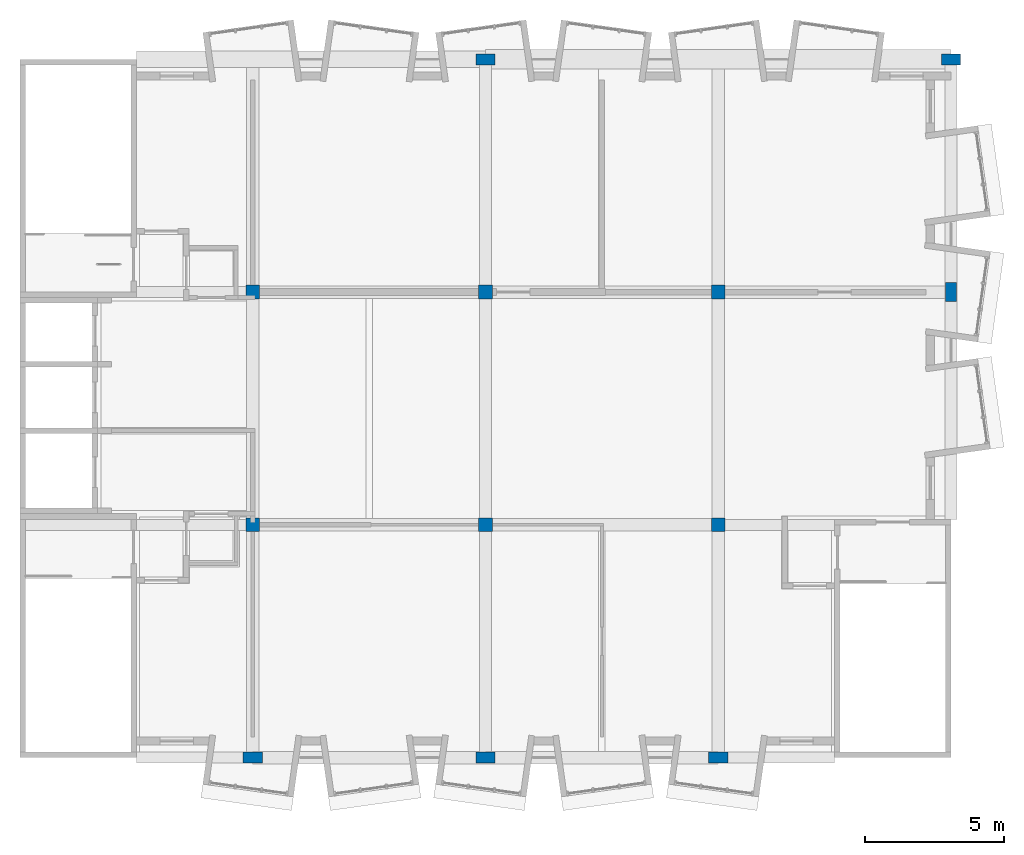
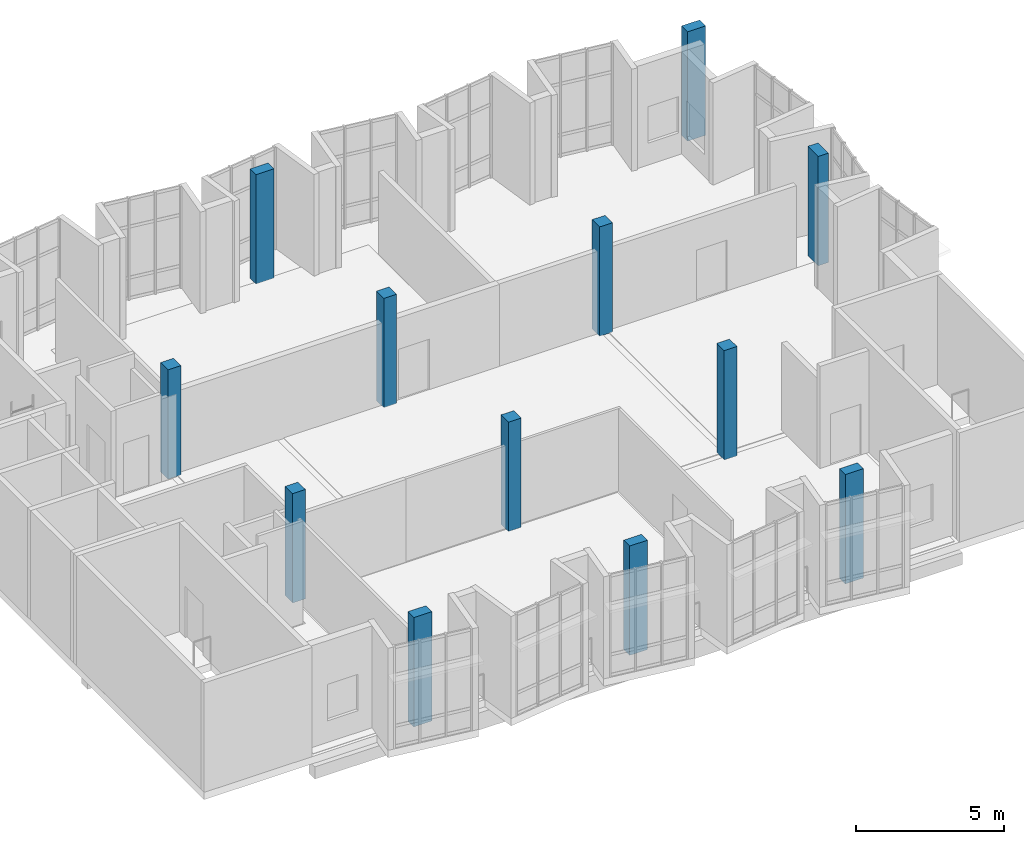
# One storey, part 1 of 15: 12 columns.
"""IFC4 building model written with IfcOpenShell, lengths in metres."""

import ifcopenshell
import ifcopenshell.guid

model = None  # the IFC model being written
_history = None  # IfcOwnerHistory: only IFC2X3 demands one
_inside = {}  # id of a spatial element -> (the spatial element, [elements in it])
_under = {}  # id of a project, library or spatial element -> (it, [spatial elements below it])
_declared = {}  # id of a project -> (the project, [libraries it declares])
_typed = {}  # id of a type object -> (the type object, [elements of that type])
_made_of = {}  # id of a material, layer set ... -> (it, [elements and type objects made of it])


def new_model(schema):
    """Start an empty IFC model of exactly this schema.

    Asked for "IFC4X3", IfcOpenShell would pick the latest addendum, in which some entities
    have other attributes; the version numbers below select the first issue.
    IFC2X3 requires an IfcOwnerHistory on every rooted entity: one is made here for all.
    """
    global model, _history
    if schema == "IFC4X3":
        model = ifcopenshell.file(schema_version=(4, 3, 0, 0))
    else:
        model = ifcopenshell.file(schema=schema)
    _inside.clear()
    _under.clear()
    _declared.clear()
    _typed.clear()
    _made_of.clear()
    _history = None
    if model.schema == "IFC2X3":
        org = make("IfcOrganization", Name="unknown")
        user = make(
            "IfcPersonAndOrganization",
            ThePerson=make("IfcPerson", FamilyName="unknown"),
            TheOrganization=org,
        )
        app = make(
            "IfcApplication",
            ApplicationDeveloper=org,
            Version="unknown",
            ApplicationFullName="unknown",
            ApplicationIdentifier="unknown",
        )
        _history = make(
            "IfcOwnerHistory",
            OwningUser=user,
            OwningApplication=app,
            ChangeAction="ADDED",
            CreationDate=0,
        )
    return model


def make(cls, **values):
    """One entity of the class cls with the attributes given. An attribute that is None is left unset."""
    return model.create_entity(
        cls, **{name: value for name, value in values.items() if value is not None}
    )


def rooted(cls, **values):
    """An entity with a GlobalId (a new one), such as an element, a storey or a relation."""
    return make(cls, GlobalId=ifcopenshell.guid.new(), OwnerHistory=_history, **values)


def si_unit(unit_type, name, prefix=None):
    """IfcSIUnit, for example si_unit("LENGTHUNIT", "METRE", prefix="MILLI")."""
    return make("IfcSIUnit", UnitType=unit_type, Prefix=prefix, Name=name)


def assignment(units):
    """IfcUnitAssignment: the units of a project."""
    return None if units is None else make("IfcUnitAssignment", Units=units)


def point(xyz):
    """IfcCartesianPoint."""
    return None if xyz is None else make("IfcCartesianPoint", Coordinates=xyz)


def direction(xyz):
    """IfcDirection."""
    return None if xyz is None else make("IfcDirection", DirectionRatios=xyz)


def frame(location, z_axis=None, x_axis=None):
    """IfcAxis2Placement3D, a coordinate frame: its origin and axes. An axis left out is left unset."""
    return make(
        "IfcAxis2Placement3D",
        Location=point(location),
        Axis=direction(z_axis),
        RefDirection=direction(x_axis),
    )


def frame_2d(location, x_axis=None):
    """IfcAxis2Placement2D, a coordinate frame in the plane: its origin and x axis."""
    return make(
        "IfcAxis2Placement2D", Location=point(location), RefDirection=direction(x_axis)
    )


def origin():
    """The frame at (0, 0, 0) with its axes left unset."""
    return frame((0.0, 0.0, 0.0))


def origin_2d():
    """The frame at (0, 0) in the plane with its x axis left unset."""
    return frame_2d((0.0, 0.0))


def place(relative_to, where):
    """IfcLocalPlacement: puts the frame where relative to a parent placement (None: the world)."""
    return make(
        "IfcLocalPlacement", PlacementRelTo=relative_to, RelativePlacement=where
    )


def context(
    kind, dimensions, precision=None, world=None, true_north=None, identifier=None
):
    """IfcGeometricRepresentationContext, for example the 3D "Model" context."""
    return make(
        "IfcGeometricRepresentationContext",
        ContextIdentifier=identifier,
        ContextType=kind,
        CoordinateSpaceDimension=dimensions,
        Precision=precision,
        WorldCoordinateSystem=world,
        TrueNorth=true_north,
    )


def subcontext(parent, identifier, kind, view, scale=None):
    """IfcGeometricRepresentationSubContext, for example "Body" below "Model"."""
    return make(
        "IfcGeometricRepresentationSubContext",
        ContextIdentifier=identifier,
        ContextType=kind,
        ParentContext=parent,
        TargetScale=scale,
        TargetView=view,
    )


def project(units=None, contexts=None):
    """IfcProject with its units and contexts."""
    return rooted(
        "IfcProject",
        Name="project",
        RepresentationContexts=contexts,
        UnitsInContext=assignment(units),
    )


def spatial(cls, under=None, at=None, **own):
    """A site, building, storey or space (cls), placed at a placement, below another one or the project."""
    s = rooted(cls, ObjectPlacement=at, **own)
    if under is not None:
        _under.setdefault(under.id(), (under, []))[1].append(s)
    return s


def profile(cls, at=None, kind="AREA", **sizes):
    """A parametric profile (cls). Its sizes go by their IFC names, for example OverallWidth=200.0."""
    return make(cls, ProfileType=kind, Position=at, **sizes)


def rectangle(**sizes):
    """IfcRectangleProfileDef."""
    return profile("IfcRectangleProfileDef", **sizes)


def extrude(swept, where, along, depth):
    """IfcExtrudedAreaSolid: the profile swept, set in the frame where, extruded along a direction by depth."""
    return make(
        "IfcExtrudedAreaSolid",
        SweptArea=swept,
        Position=where,
        ExtrudedDirection=direction(along),
        Depth=depth,
    )


def shape(context_of_items, identifier, shape_type, items):
    """IfcShapeRepresentation: the items that make up one representation, for example the "Body"."""
    return make(
        "IfcShapeRepresentation",
        ContextOfItems=context_of_items,
        RepresentationIdentifier=identifier,
        RepresentationType=shape_type,
        Items=items,
    )


def material(Name=None, Category=None):
    """IfcMaterial."""
    return make("IfcMaterial", Name=Name, Category=Category)


def material_profile(
    of_material, cross_section, Name=None, Category=None, Priority=None
):
    """IfcMaterialProfile: a cross section and its material."""
    return make(
        "IfcMaterialProfile",
        Name=Name,
        Material=of_material,
        Profile=cross_section,
        Priority=Priority,
        Category=Category,
    )


def profile_set(profiles, Name=None, composite=None):
    """IfcMaterialProfileSet."""
    return make(
        "IfcMaterialProfileSet",
        Name=Name,
        MaterialProfiles=profiles,
        CompositeProfile=composite,
    )


def made_of(thing, what):
    """Note that an element or type object is made of a material, layer set ...; save() writes the relation."""
    if what is not None:
        _made_of.setdefault(what.id(), (what, []))[1].append(thing)
    return thing


def type_object(cls, material=None, **own):
    """A type object (cls), such as IfcWallType, which elements share."""
    return made_of(rooted(cls, **own), material)


def element(
    cls,
    number,
    at=None,
    inside=None,
    cuts=None,
    type_object=None,
    material=None,
    context=None,
    identifier="Body",
    shape_type=None,
    held_by="IfcProductDefinitionShape",
    body=None,
    shapes=None,
    **own,
):
    """One element of the class cls, such as IfcWall. Its Tag is "e" and its number.

    at: its placement. inside: the storey or other place that contains it. cuts: it is an
    opening in that element (IfcRelVoidsElement). A single representation is given by context,
    identifier, shape_type and body (its items); several are given by shapes. held_by: the class
    of the entity that holds the representations. save() writes the other relations.
    """
    e = rooted(cls, Tag="e%d" % number, ObjectPlacement=at, **own)
    if body is not None:
        shapes = [shape(context, identifier, shape_type, body)]
    if shapes is not None:
        e.Representation = make(held_by, Representations=shapes)
    if inside is not None:
        _inside.setdefault(inside.id(), (inside, []))[1].append(e)
    if cuts is not None:
        rooted(
            "IfcRelVoidsElement", RelatingBuildingElement=cuts, RelatedOpeningElement=e
        )
    if type_object is not None:
        _typed.setdefault(type_object.id(), (type_object, []))[1].append(e)
    return made_of(e, material)


def aggregate(whole, parts):
    """IfcRelAggregates: a whole, such as a stair, and the parts it consists of."""
    return rooted("IfcRelAggregates", RelatingObject=whole, RelatedObjects=parts)


def save(model, path):
    """Write the relations noted so far, then the file.

    IfcRelAggregates (storeys below a building ...), IfcRelContainedInSpatialStructure (elements
    in a storey), IfcRelDefinesByType, IfcRelAssociatesMaterial and IfcRelDeclares: one each for
    every whole, place, type object, material and project.
    """
    for whole, parts in _under.values():
        aggregate(whole, parts)
    for where, things in _inside.values():
        rooted(
            "IfcRelContainedInSpatialStructure",
            RelatedElements=things,
            RelatingStructure=where,
        )
    for kind, things in _typed.values():
        rooted("IfcRelDefinesByType", RelatedObjects=things, RelatingType=kind)
    for what, things in _made_of.values():
        rooted("IfcRelAssociatesMaterial", RelatedObjects=things, RelatingMaterial=what)
    for by, libraries in _declared.values():
        rooted("IfcRelDeclares", RelatingContext=by, RelatedDefinitions=libraries)
    model.write(path)


model = new_model("IFC4")

# Units and contexts
model_context = context("Model", 3, precision=1e-05, world=origin(), true_north=direction((0.0, 1.0)))
body_context = subcontext(model_context, "Body", "Model", "MODEL_VIEW")
ifc_project = project(units=[si_unit("LENGTHUNIT", "METRE"), si_unit("AREAUNIT", "SQUARE_METRE"), si_unit("VOLUMEUNIT", "CUBIC_METRE"), si_unit("PLANEANGLEUNIT", "RADIAN"), si_unit("MASSUNIT", "GRAM", prefix="KILO")], contexts=[model_context])

# Site, building, storey
site_placement = place(None, origin())
site = spatial("IfcSite", under=ifc_project, at=site_placement, CompositionType="ELEMENT")
building_placement = place(site_placement, origin())
building = spatial("IfcBuilding", under=site, at=building_placement, Name="Kiln Court Media Centre", CompositionType="ELEMENT")
storey_placement = place(building_placement, frame((0.0, 0.0, 38.10009765625)))
storey = spatial("IfcBuildingStorey", under=building, at=storey_placement, Name="L08", CompositionType="ELEMENT", Elevation=38.10009765625)

# Columns
ifc_material_1 = material(Name="Concrete C40/50", Category="concrete")
ifc_material_profile_1 = material_profile(ifc_material_1, rectangle(XDim=0.5, YDim=0.5, at=origin_2d()), Name="RC 500x500")
ifc_profile_set_1 = profile_set([ifc_material_profile_1], Name="Concrete C40/50")
column_type_1 = type_object("IfcColumnType", Name="Concrete C40/50 column 500x500", PredefinedType="COLUMN", material=ifc_profile_set_1)
for number, where, z_axis, x_axis, name in (
    (1, (8.39990234375, 8.39990234375, 0.0), (0.0, 0.0, 1.0), (1.0, 0.0, 0.0), "L08-C-1001"),
    (2, (8.39990234375, 16.800048828125, 0.0), (0.0, 0.0, 1.0), (1.0, 0.0, 0.0), "L08-C-1002"),
    (3, (16.800048828125, 8.39990234375, 0.0), (0.0, 0.0, 1.0), (1.0, 0.0, 0.0), "L08-C-1004"),
    (4, (16.800048828125, 16.800048828125, 0.0), (0.0, 0.0, 1.0), (1.0, 0.0, 0.0), "L08-C-1005"),
    (5, (25.199951171875, 8.39990234375, 0.0), (0.0, 0.0, 1.0), (1.0, 0.0, 0.0), "L08-C-1008"),
    (6, (25.199951171875, 16.800048828125, 0.0), (0.0, 0.0, 1.0), (1.0, 0.0, 0.0), "L08-C-1009"),
):
    element("IfcColumn", number, at=place(storey_placement, frame(where, z_axis=z_axis, x_axis=x_axis)), inside=storey, type_object=column_type_1, Name=name, PredefinedType="COLUMN", context=body_context, shape_type="SweptSolid", body=[
        extrude(rectangle(XDim=0.5, YDim=0.5, at=origin_2d()), origin(), (0.0, 0.0, 1.0), 4.5),
    ])
ifc_material_2 = material(Name="Concrete C40/50", Category="concrete")
ifc_material_profile_2 = material_profile(ifc_material_2, rectangle(XDim=0.699951171875, YDim=0.39990234375, at=origin_2d()), Name="RC 700x400")
ifc_profile_set_2 = profile_set([ifc_material_profile_2], Name="Concrete C40/50")
column_type_2 = type_object("IfcColumnType", Name="Concrete C40/50 column 700x400", PredefinedType="COLUMN", material=ifc_profile_set_2)
for number, where, z_axis, x_axis, name in (
    (7, (8.39990234375, 0.0, 0.0), (0.0, 0.0, 1.0), (1.0, 0.0, 0.0), "L08-C-1000"),
    (8, (16.800048828125, 0.0, 0.0), (0.0, 0.0, 1.0), (1.0, 0.0, 0.0), "L08-C-1003"),
    (9, (16.800048828125, 25.199951171875, 0.0), (0.0, 0.0, 1.0), (1.0, 0.0, 0.0), "L08-C-1006"),
    (10, (25.199951171875, 0.0, 0.0), (0.0, 0.0, 1.0), (1.0, 0.0, 0.0), "L08-C-1007"),
    (11, (33.60009765625, 16.800048828125, 0.0), (0.0, 0.0, 1.0), (0.0, 1.0, 0.0), "L08-C-1010"),
    (12, (33.60009765625, 25.199951171875, 0.0), (0.0, 0.0, 1.0), (1.0, 0.0, 0.0), "L08-C-1011"),
):
    element("IfcColumn", number, at=place(storey_placement, frame(where, z_axis=z_axis, x_axis=x_axis)), inside=storey, type_object=column_type_2, Name=name, PredefinedType="COLUMN", context=body_context, shape_type="SweptSolid", body=[
        extrude(rectangle(XDim=0.699951171875, YDim=0.39990234375, at=origin_2d()), origin(), (0.0, 0.0, 1.0), 4.5),
    ])

save(model, "model.ifc")
